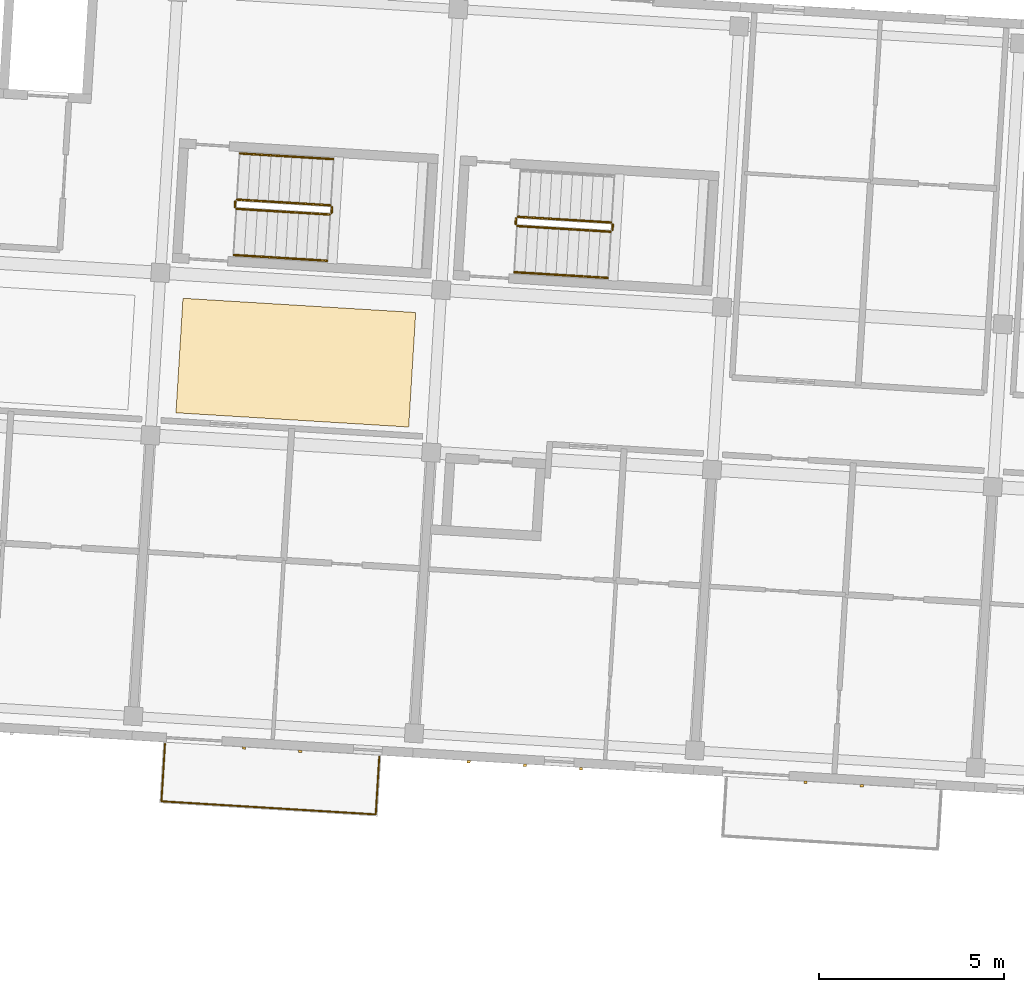
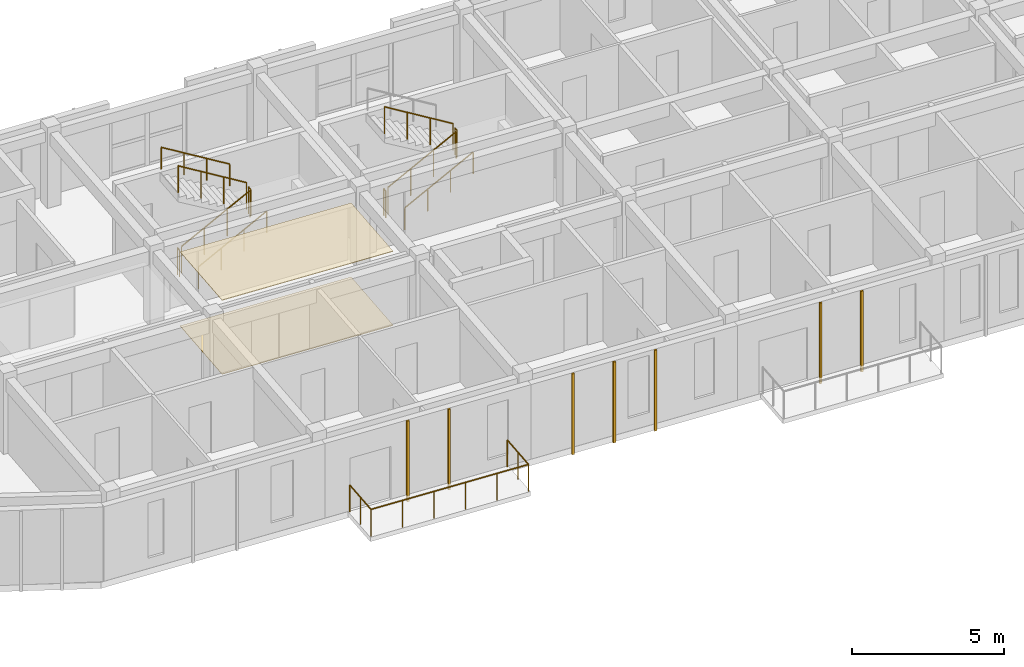
# One storey, part 49 of 74: 12 railings, 9 coverings.
"""IFC4 building model written with IfcOpenShell, lengths in metres."""

from ifc_helpers import new_model, si_unit, direction, frame, origin, origin_2d, place, context, subcontext, project, spatial, polyline, rectangle, circle, outline, extrude, material, layer, layer_set, type_object, element, save


model = new_model("IFC4")

# Units and contexts
model_context = context("Model", 3, precision=1e-05, world=origin(), true_north=direction((0.0, 1.0)))
body_context = subcontext(model_context, "Body", "Model", "MODEL_VIEW")
ifc_project = project(units=[si_unit("LENGTHUNIT", "METRE"), si_unit("AREAUNIT", "SQUARE_METRE"), si_unit("VOLUMEUNIT", "CUBIC_METRE"), si_unit("PLANEANGLEUNIT", "RADIAN"), si_unit("MASSUNIT", "GRAM", prefix="KILO")], contexts=[model_context])

# Site, building, storey
site_placement = place(None, origin())
site = spatial("IfcSite", under=ifc_project, at=site_placement, CompositionType="ELEMENT")
building_placement = place(site_placement, origin())
building = spatial("IfcBuilding", under=site, at=building_placement, Name="Kestramere Prow Commons", CompositionType="ELEMENT")
storey_placement = place(building_placement, frame((0.0, 0.0, 11.64990234375)))
storey = spatial("IfcBuildingStorey", under=building, at=storey_placement, Name="L03", CompositionType="ELEMENT", Elevation=11.64990234375)

# Coverings
ifc_material_1 = material(Name="Mineral Fibre Acoustic Ceiling Tile")
ifc_layer_1 = layer(ifc_material_1, 0.02490234375)
ifc_layer_set_1 = layer_set([ifc_layer_1], Name="Mineral Fibre Acoustic Ceiling Tile")
covering_type_1 = type_object("IfcCoveringType", Name="COV-CEIL-ACOUSTIC", PredefinedType="CEILING", material=ifc_layer_set_1)
covering_1_placement = place(storey_placement, frame((0.0, 0.0, 2.97509765625)))
element("IfcCovering", 1, at=covering_1_placement, inside=storey, type_object=covering_type_1, Name="Block C L03 Corridor Acoustic Ceiling 2", PredefinedType="CEILING", context=body_context, shape_type="SweptSolid", body=[
    extrude(outline(polyline([(68.23828125, 54.23095703125), (74.526611328125, 53.846435546875), (74.7158203125, 56.940673828125), (68.427490234375, 57.3251953125), (68.23828125, 54.23095703125)])), origin(), (0.0, 0.0, 1.0), 0.02490234375),
])
ifc_material_2 = material(Name="Weathered Zinc-Titanium Standing-Seam Cladding")
ifc_layer_2 = layer(ifc_material_2, 0.074951171875)
ifc_layer_set_2 = layer_set([ifc_layer_2], Name="Weathered Zinc-Titanium Standing-Seam Cladding")
covering_type_2 = type_object("IfcCoveringType", Name="COV-CLAD-SEAM", PredefinedType="CLADDING", material=ifc_layer_set_2)
for number, where, z_axis, x_axis, name in (
    (2, (71.595947265625, 45.081298828125, -0.25), (0.0, 0.0, 1.0), (-0.998134798422, 0.061048539535, 0.0), "EW-C-L03-S-1 Standing-Seam Rib 2"),
    (3, (70.078857421875, 45.17431640625, -0.25), (0.0, 0.0, 1.0), (-0.998134798422, 0.061048539535, 0.0), "EW-C-L03-S-1 Standing-Seam Rib 3"),
    (4, (79.181884765625, 44.617431640625, -0.25), (0.0, 0.0, 1.0), (-0.998134798422, 0.061048539535, 0.0), "EW-C-L03-S-2 Standing-Seam Rib 2"),
    (5, (77.66455078125, 44.710205078125, -0.25), (0.0, 0.0, 1.0), (-0.998134798422, 0.061048539535, 0.0), "EW-C-L03-S-2 Standing-Seam Rib 3"),
    (6, (76.1474609375, 44.802978515625, -0.25), (0.0, 0.0, 1.0), (-0.998134798422, 0.061048539535, 0.0), "EW-C-L03-S-2 Standing-Seam Rib 4"),
    (7, (86.767578125, 44.153564453125, -0.25), (0.0, 0.0, 1.0), (-0.998134798422, 0.061048539535, 0.0), "EW-C-L03-S-3 Standing-Seam Rib 2"),
    (8, (85.25048828125, 44.246337890625, -0.25), (0.0, 0.0, 1.0), (-0.998134798422, 0.061048539535, 0.0), "EW-C-L03-S-3 Standing-Seam Rib 3"),
):
    element("IfcCovering", number, at=place(storey_placement, frame(where, z_axis=z_axis, x_axis=x_axis)), inside=storey, type_object=covering_type_2, Name=name, PredefinedType="CLADDING", context=body_context, shape_type="SweptSolid", body=[
        extrude(rectangle(XDim=0.0849609375, YDim=0.06494140625, at=origin_2d()), origin(), (0.0, 0.0, 1.0), 3.25),
    ])
ifc_material_3 = material(Name="Honed Cementitious Terrazzo Tile")
ifc_layer_3 = layer(ifc_material_3, 0.02001953125)
ifc_layer_set_3 = layer_set([ifc_layer_3], Name="Honed Cementitious Terrazzo Tile")
covering_type_3 = type_object("IfcCoveringType", Name="COV-FLOOR-TERRAZZO", PredefinedType="FLOORING", material=ifc_layer_set_3)
covering_2_placement = place(storey_placement, origin())
element("IfcCovering", 9, at=covering_2_placement, inside=storey, type_object=covering_type_3, Name="Block C L03 Corridor Terrazzo Flooring 2", PredefinedType="FLOORING", context=body_context, shape_type="SweptSolid", body=[
    extrude(outline(polyline([(68.23828125, 54.23095703125), (74.526611328125, 53.846435546875), (74.7158203125, 56.940673828125), (68.427490234375, 57.3251953125), (68.23828125, 54.23095703125)])), origin(), (0.0, 0.0, 1.0), 0.02001953125),
])

# Railings
ifc_material_4 = material(Name="Powder-Coated Aluminium 6063-T6", Category="aluminium")
railing_type_1 = type_object("IfcRailingType", Name="GRD-BALC-1100", PredefinedType="BALUSTRADE", material=ifc_material_4)
railing_1_placement = place(storey_placement, frame((67.942138671875, 45.29248046875, 0.0)))
element("IfcRailing", 10, at=railing_1_placement, inside=storey, type_object=railing_type_1, Name="Block C L03 Balcony Guardrail 2", PredefinedType="BALUSTRADE", context=body_context, shape_type="SweptSolid", body=[
    extrude(circle(Radius=0.02392578125, at=origin_2d()), frame((0.0, 0.0, 1.076171875), z_axis=(-0.061189609383, -0.998126160214, 0.0), x_axis=(0.998126160214, -0.061189609383, 0.0)), (0.0, 0.0, 1.0), 1.56005859375),
    extrude(circle(Radius=0.02392578125, at=origin_2d()), frame((-0.095458984375, -1.55712890625, 1.076171875), z_axis=(0.998133128857, -0.061075830556, 0.0), x_axis=(0.061075830556, 0.998133128857, 0.0)), (0.0, 0.0, 1.0), 5.800048828125),
    extrude(circle(Radius=0.02392578125, at=origin_2d()), frame((5.69384765625, -1.911376953125, 1.076171875), z_axis=(0.061033697925, 0.998135706063, 0.0), x_axis=(-0.998135706063, 0.061033697925, 0.0)), (0.0, 0.0, 1.0), 1.56005859375),
    extrude(circle(Radius=0.02099609375, at=origin_2d()), origin(), (0.0, 0.0, 1.0), 1.052001953125),
    extrude(circle(Radius=0.02099609375, at=origin_2d()), frame((-0.0478515625, -0.778564453125, 0.0)), (0.0, 0.0, 1.0), 1.052001953125),
    extrude(circle(Radius=0.02099609375, at=origin_2d()), frame((-0.095458984375, -1.55712890625, 0.0)), (0.0, 0.0, 1.0), 1.052001953125),
    extrude(circle(Radius=0.02099609375, at=origin_2d()), frame((1.0625, -1.6279296875, 0.0)), (0.0, 0.0, 1.0), 1.052001953125),
    extrude(circle(Radius=0.02099609375, at=origin_2d()), frame((2.22021484375, -1.69873046875, 0.0)), (0.0, 0.0, 1.0), 1.052001953125),
    extrude(circle(Radius=0.02099609375, at=origin_2d()), frame((3.378173828125, -1.769775390625, 0.0)), (0.0, 0.0, 1.0), 1.052001953125),
    extrude(circle(Radius=0.02099609375, at=origin_2d()), frame((4.535888671875, -1.840576171875, 0.0)), (0.0, 0.0, 1.0), 1.052001953125),
    extrude(circle(Radius=0.02099609375, at=origin_2d()), frame((5.69384765625, -1.911376953125, 0.0)), (0.0, 0.0, 1.0), 1.052001953125),
    extrude(circle(Radius=0.02099609375, at=origin_2d()), frame((5.741455078125, -1.1328125, 0.0)), (0.0, 0.0, 1.0), 1.052001953125),
    extrude(circle(Radius=0.02099609375, at=origin_2d()), frame((5.7890625, -0.354248046875, 0.0)), (0.0, 0.0, 1.0), 1.052001953125),
])
ifc_material_5 = material(Name="Galvanised Steel S275JR", Category="steel")
railing_type_2 = type_object("IfcRailingType", Name="RL-ST-GR-1100", PredefinedType="GUARDRAIL", material=ifc_material_5)
railing_2_placement = place(storey_placement, frame((69.877685546875, 59.7412109375, 0.16259765625)))
element("IfcRailing", 11, at=railing_2_placement, inside=storey, type_object=railing_type_2, Name="L03 ST-C1 stair guard 1", PredefinedType="GUARDRAIL", context=body_context, shape_type="SweptSolid", body=[
    extrude(circle(Radius=0.02392578125, at=origin_2d()), frame((0.0, 0.0, 1.076171875), z_axis=(0.863306038156, -0.052788780359, 0.501912371984), x_axis=(0.061033243939, 0.998135733823, 0.0)), (0.0, 0.0, 1.0), 2.91357421875),
    extrude(circle(Radius=0.02099609375, at=origin_2d()), origin(), (0.0, 0.0, 1.0), 1.052001953125),
    extrude(circle(Radius=0.02099609375, at=origin_2d()), frame((0.83837890625, -0.05126953125, 0.487548828125)), (0.0, 0.0, 1.0), 1.052001953125),
    extrude(circle(Radius=0.02099609375, at=origin_2d()), frame((1.677001953125, -0.1025390625, 0.974853515625)), (0.0, 0.0, 1.0), 1.052001953125),
    extrude(circle(Radius=0.02099609375, at=origin_2d()), frame((2.515380859375, -0.15380859375, 1.46240234375)), (0.0, 0.0, 1.0), 1.052001953125),
])
railing_3_placement = place(storey_placement, frame((72.446044921875, 59.63427734375, 1.625)))
element("IfcRailing", 12, at=railing_3_placement, inside=storey, type_object=railing_type_2, Name="L03 ST-C1 stair guard 2", PredefinedType="GUARDRAIL", context=body_context, shape_type="SweptSolid", body=[
    extrude(circle(Radius=0.02392578125, at=origin_2d()), frame((0.0, 0.0, 1.076171875), z_axis=(0.060249240593, 0.998183364422, 0.0), x_axis=(-0.998183364422, 0.060249240593, 0.0)), (0.0, 0.0, 1.0), 0.14990234375),
    extrude(circle(Radius=0.02099609375, at=origin_2d()), origin(), (0.0, 0.0, 1.0), 1.052001953125),
    extrude(circle(Radius=0.02099609375, at=origin_2d()), frame((0.009033203125, 0.149658203125, 0.0)), (0.0, 0.0, 1.0), 1.052001953125),
])
railing_4_placement = place(storey_placement, frame((72.408203125, 59.8369140625, 1.78759765625)))
element("IfcRailing", 13, at=railing_4_placement, inside=storey, type_object=railing_type_2, Name="L03 ST-C1 stair guard 3", PredefinedType="GUARDRAIL", context=body_context, shape_type="SweptSolid", body=[
    extrude(circle(Radius=0.02392578125, at=origin_2d()), frame((0.0, 0.0, 1.076171875), z_axis=(-0.863284693866, 0.052792599217, 0.501948681446), x_axis=(-0.061039146275, -0.998135372894, 0.0)), (0.0, 0.0, 1.0), 2.913330078125),
    extrude(circle(Radius=0.02099609375, at=origin_2d()), origin(), (0.0, 0.0, 1.0), 1.052001953125),
    extrude(circle(Radius=0.02099609375, at=origin_2d()), frame((-0.83837890625, 0.05126953125, 0.487548828125)), (0.0, 0.0, 1.0), 1.052001953125),
    extrude(circle(Radius=0.02099609375, at=origin_2d()), frame((-1.6767578125, 0.1025390625, 0.974853515625)), (0.0, 0.0, 1.0), 1.052001953125),
    extrude(circle(Radius=0.02099609375, at=origin_2d()), frame((-2.51513671875, 0.15380859375, 1.46240234375)), (0.0, 0.0, 1.0), 1.052001953125),
])
railing_5_placement = place(storey_placement, frame((69.830810546875, 59.794189453125, 0.0)))
element("IfcRailing", 14, at=railing_5_placement, inside=storey, type_object=railing_type_2, Name="L03 ST-C1 stair guard 4", PredefinedType="GUARDRAIL", context=body_context, shape_type="SweptSolid", body=[
    extrude(circle(Radius=0.02392578125, at=origin_2d()), frame((0.0, 0.0, 1.076171875), z_axis=(0.061871446683, 0.998084126758, 0.0), x_axis=(-0.998084126758, 0.061871446683, 0.0)), (0.0, 0.0, 1.0), 0.14990234375),
    extrude(circle(Radius=0.02099609375, at=origin_2d()), origin(), (0.0, 0.0, 1.0), 1.052001953125),
    extrude(circle(Radius=0.02099609375, at=origin_2d()), frame((0.00927734375, 0.149658203125, 0.0)), (0.0, 0.0, 1.0), 1.052001953125),
])
railing_6_placement = place(storey_placement, frame((77.463623046875, 59.277099609375, 0.16259765625)))
element("IfcRailing", 15, at=railing_6_placement, inside=storey, type_object=railing_type_2, Name="L03 ST-C2 stair guard 1", PredefinedType="GUARDRAIL", context=body_context, shape_type="SweptSolid", body=[
    extrude(circle(Radius=0.02392578125, at=origin_2d()), frame((0.0, 0.0, 1.076171875), z_axis=(0.863284693866, -0.052792599217, 0.501948681446), x_axis=(0.061039146275, 0.998135372894, 0.0)), (0.0, 0.0, 1.0), 2.913330078125),
    extrude(circle(Radius=0.02099609375, at=origin_2d()), origin(), (0.0, 0.0, 1.0), 1.052001953125),
    extrude(circle(Radius=0.02099609375, at=origin_2d()), frame((0.83837890625, -0.05126953125, 0.487548828125)), (0.0, 0.0, 1.0), 1.052001953125),
    extrude(circle(Radius=0.02099609375, at=origin_2d()), frame((1.6767578125, -0.1025390625, 0.974853515625)), (0.0, 0.0, 1.0), 1.052001953125),
    extrude(circle(Radius=0.02099609375, at=origin_2d()), frame((2.51513671875, -0.15380859375, 1.46240234375)), (0.0, 0.0, 1.0), 1.052001953125),
])
railing_7_placement = place(storey_placement, frame((80.03173828125, 59.170166015625, 1.625)))
element("IfcRailing", 16, at=railing_7_placement, inside=storey, type_object=railing_type_2, Name="L03 ST-C2 stair guard 2", PredefinedType="GUARDRAIL", context=body_context, shape_type="SweptSolid", body=[
    extrude(circle(Radius=0.02392578125, at=origin_2d()), frame((0.0, 0.0, 1.076171875), z_axis=(0.061871446683, 0.998084126758, 0.0), x_axis=(-0.998084126758, 0.061871446683, 0.0)), (0.0, 0.0, 1.0), 0.14990234375),
    extrude(circle(Radius=0.02099609375, at=origin_2d()), origin(), (0.0, 0.0, 1.0), 1.052001953125),
    extrude(circle(Radius=0.02099609375, at=origin_2d()), frame((0.00927734375, 0.149658203125, 0.0)), (0.0, 0.0, 1.0), 1.052001953125),
])
railing_8_placement = place(storey_placement, frame((79.994140625, 59.372802734375, 1.78759765625)))
element("IfcRailing", 17, at=railing_8_placement, inside=storey, type_object=railing_type_2, Name="L03 ST-C2 stair guard 3", PredefinedType="GUARDRAIL", context=body_context, shape_type="SweptSolid", body=[
    extrude(circle(Radius=0.02392578125, at=origin_2d()), frame((0.0, 0.0, 1.076171875), z_axis=(-0.863306038156, 0.052788780359, 0.501912371984), x_axis=(-0.061033243939, -0.998135733823, 0.0)), (0.0, 0.0, 1.0), 2.91357421875),
    extrude(circle(Radius=0.02099609375, at=origin_2d()), origin(), (0.0, 0.0, 1.0), 1.052001953125),
    extrude(circle(Radius=0.02099609375, at=origin_2d()), frame((-0.83837890625, 0.05126953125, 0.487548828125)), (0.0, 0.0, 1.0), 1.052001953125),
    extrude(circle(Radius=0.02099609375, at=origin_2d()), frame((-1.677001953125, 0.1025390625, 0.974853515625)), (0.0, 0.0, 1.0), 1.052001953125),
    extrude(circle(Radius=0.02099609375, at=origin_2d()), frame((-2.515380859375, 0.15380859375, 1.46240234375)), (0.0, 0.0, 1.0), 1.052001953125),
])
railing_9_placement = place(storey_placement, frame((77.416748046875, 59.330078125, 0.0)))
element("IfcRailing", 18, at=railing_9_placement, inside=storey, type_object=railing_type_2, Name="L03 ST-C2 stair guard 4", PredefinedType="GUARDRAIL", context=body_context, shape_type="SweptSolid", body=[
    extrude(circle(Radius=0.02392578125, at=origin_2d()), frame((0.0, 0.0, 1.076171875), z_axis=(0.060151470121, 0.998189260933, 0.0), x_axis=(-0.998189260933, 0.060151470121, 0.0)), (0.0, 0.0, 1.0), 0.150146484375),
    extrude(circle(Radius=0.02099609375, at=origin_2d()), origin(), (0.0, 0.0, 1.0), 1.052001953125),
    extrude(circle(Radius=0.02099609375, at=origin_2d()), frame((0.009033203125, 0.14990234375, 0.0)), (0.0, 0.0, 1.0), 1.052001953125),
])
ifc_material_6 = material(Name="Stainless Steel 304", Category="steel")
railing_type_3 = type_object("IfcRailingType", Name="RL-ST-HR-900", PredefinedType="HANDRAIL", material=ifc_material_6)
railing_10_placement = place(storey_placement, frame((69.801513671875, 58.493408203125, 0.3251953125)))
element("IfcRailing", 19, at=railing_10_placement, inside=storey, type_object=railing_type_3, Name="L03 ST-C1 stair handrail 1", PredefinedType="HANDRAIL", context=body_context, shape_type="SweptSolid", body=[
    extrude(circle(Radius=0.02392578125, at=origin_2d()), frame((0.0, 0.0, 0.8759765625), z_axis=(0.863284693866, -0.052792599217, 0.501948681446), x_axis=(0.061039146275, 0.998135372894, 0.0)), (0.0, 0.0, 1.0), 2.913330078125),
    extrude(circle(Radius=0.02099609375, at=origin_2d()), origin(), (0.0, 0.0, 1.0), 0.851806640625),
    extrude(circle(Radius=0.02099609375, at=origin_2d()), frame((0.83837890625, -0.05126953125, 0.487548828125)), (0.0, 0.0, 1.0), 0.851806640625),
    extrude(circle(Radius=0.02099609375, at=origin_2d()), frame((1.6767578125, -0.1025390625, 0.974853515625)), (0.0, 0.0, 1.0), 0.851806640625),
    extrude(circle(Radius=0.02099609375, at=origin_2d()), frame((2.51513671875, -0.15380859375, 1.46240234375)), (0.0, 0.0, 1.0), 0.851806640625),
])
railing_11_placement = place(storey_placement, frame((72.484619140625, 61.08447265625, 1.9501953125)))
element("IfcRailing", 20, at=railing_11_placement, inside=storey, type_object=railing_type_3, Name="L03 ST-C1 stair handrail 2", PredefinedType="HANDRAIL", context=body_context, shape_type="SweptSolid", body=[
    extrude(circle(Radius=0.02392578125, at=origin_2d()), frame((0.0, 0.0, 0.8759765625), z_axis=(-0.863306038156, 0.052788780359, 0.501912371984), x_axis=(-0.061033243939, -0.998135733823, 0.0)), (0.0, 0.0, 1.0), 2.91357421875),
    extrude(circle(Radius=0.02099609375, at=origin_2d()), origin(), (0.0, 0.0, 1.0), 0.851806640625),
    extrude(circle(Radius=0.02099609375, at=origin_2d()), frame((-0.83837890625, 0.05126953125, 0.487548828125)), (0.0, 0.0, 1.0), 0.851806640625),
    extrude(circle(Radius=0.02099609375, at=origin_2d()), frame((-1.677001953125, 0.1025390625, 0.974853515625)), (0.0, 0.0, 1.0), 0.851806640625),
    extrude(circle(Radius=0.02099609375, at=origin_2d()), frame((-2.515380859375, 0.15380859375, 1.46240234375)), (0.0, 0.0, 1.0), 0.851806640625),
])
railing_12_placement = place(storey_placement, frame((77.38720703125, 58.029541015625, 0.3251953125)))
element("IfcRailing", 21, at=railing_12_placement, inside=storey, type_object=railing_type_3, Name="L03 ST-C2 stair handrail 1", PredefinedType="HANDRAIL", context=body_context, shape_type="SweptSolid", body=[
    extrude(circle(Radius=0.02392578125, at=origin_2d()), frame((0.0, 0.0, 0.8759765625), z_axis=(0.863306038156, -0.052788780359, 0.501912371984), x_axis=(0.061033243939, 0.998135733823, 0.0)), (0.0, 0.0, 1.0), 2.91357421875),
    extrude(circle(Radius=0.02099609375, at=origin_2d()), origin(), (0.0, 0.0, 1.0), 0.851806640625),
    extrude(circle(Radius=0.02099609375, at=origin_2d()), frame((0.83837890625, -0.05126953125, 0.487548828125)), (0.0, 0.0, 1.0), 0.851806640625),
    extrude(circle(Radius=0.02099609375, at=origin_2d()), frame((1.677001953125, -0.1025390625, 0.974853515625)), (0.0, 0.0, 1.0), 0.851806640625),
    extrude(circle(Radius=0.02099609375, at=origin_2d()), frame((2.515380859375, -0.15380859375, 1.46240234375)), (0.0, 0.0, 1.0), 0.851806640625),
])

save(model, "model.ifc")
